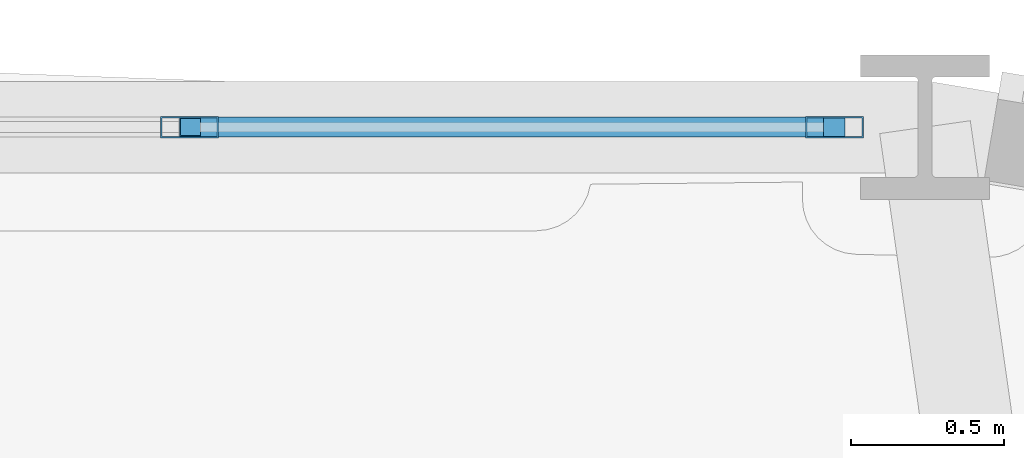
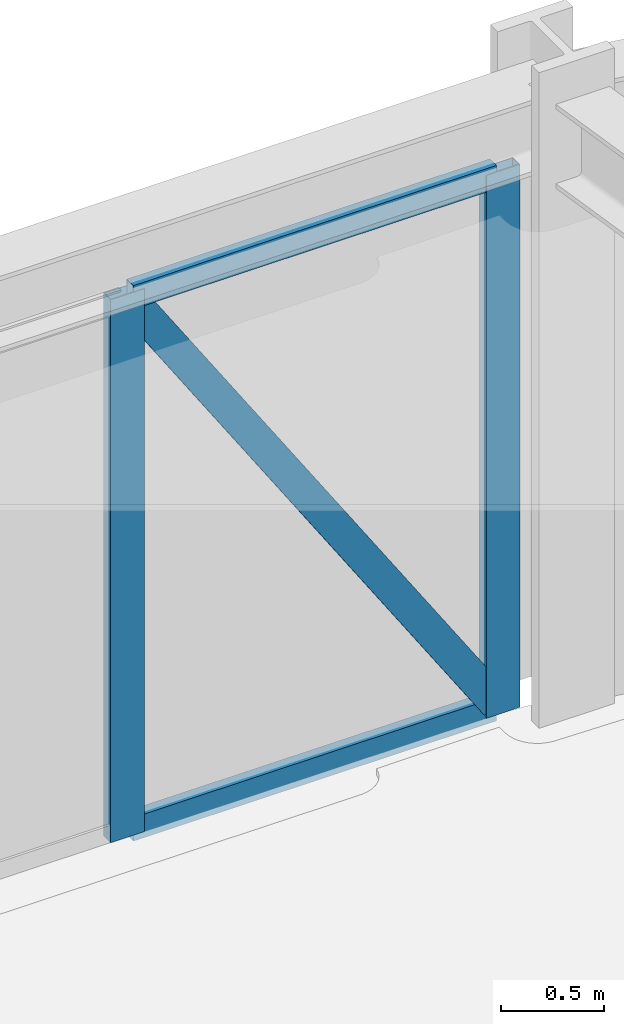
# One storey, part 14 of 22: 5 members, 1 element without a shape of its own.
"""IFC4 building model written with IfcOpenShell, lengths in metres."""

from ifc_helpers import new_model, si_unit, derived_unit, direction, frame, origin, origin_2d, place, context, subcontext, project, spatial, hollow_rectangle, extrude, source, transform, mapped, material, layer, layer_set, material_profile, profile_set, type_object, element, aggregate, save


model = new_model("IFC4")

# Units and contexts
model_context = context("Model", 3, precision=1e-05, world=origin(), true_north=direction((0.0, 1.0)))
body_context = subcontext(model_context, "Body", "Model", "MODEL_VIEW")
ifc_project = project(units=[si_unit("LENGTHUNIT", "METRE"), si_unit("AREAUNIT", "SQUARE_METRE"), si_unit("VOLUMEUNIT", "CUBIC_METRE"), si_unit("PLANEANGLEUNIT", "RADIAN"), si_unit("MASSUNIT", "GRAM", prefix="KILO"), derived_unit("THERMALTRANSMITTANCEUNIT", [(si_unit("POWERUNIT", "WATT"), 1), (si_unit("LENGTHUNIT", "METRE"), -2), (si_unit("THERMODYNAMICTEMPERATUREUNIT", "KELVIN"), -1)])], contexts=[model_context])

# Site, building, storey
site_placement = place(None, origin())
site = spatial("IfcSite", under=ifc_project, at=site_placement, CompositionType="ELEMENT")
building_placement = place(site_placement, origin())
building = spatial("IfcBuilding", under=site, at=building_placement, Name="Korsvarv Bourse and Concert Hall", CompositionType="ELEMENT")
storey_placement = place(building_placement, frame((0.0, 0.0, 47.39990234375)))
storey = spatial("IfcBuildingStorey", under=building, at=storey_placement, Name="L11", CompositionType="ELEMENT", Elevation=47.39990234375)

# Curtain wall, members
ifc_material_1 = material(Name="Anodised aluminium and triple low-E glazing", Category="glass")
ifc_layer = layer(ifc_material_1, 0.219970703125)
ifc_layer_set = layer_set([ifc_layer], Name="Anodised aluminium and triple low-E glazing")
curtain_wall_type = type_object("IfcCurtainWallType", Name="CW-SYS-1", PredefinedType="NOTDEFINED", material=ifc_layer_set)
curtain_wall_placement = place(storey_placement, origin())
curtain_wall = element("IfcCurtainWall", 1, at=curtain_wall_placement, inside=storey, type_object=curtain_wall_type, Name="L11 CW1 curtain wall CW-L11-F03", PredefinedType="NOTDEFINED")
ifc_material_2 = material(Name="Extruded aluminium EN AW-6063 T66", Category="aluminium")
ifc_material_profile_1 = material_profile(ifc_material_2, hollow_rectangle(XDim=0.070068359375, YDim=0.18994140625, WallThickness=0.0048828125, at=origin_2d()), Name="ALU-M 70x190")
ifc_profile_set_1 = profile_set([ifc_material_profile_1], Name="Extruded aluminium EN AW-6063 T66")
member_type_1 = type_object("IfcMemberType", Name="CWM-190", PredefinedType="MULLION", material=ifc_profile_set_1)
shared_shape_1 = source(origin(), body_context, "Body", "SweptSolid", [
    extrude(hollow_rectangle(XDim=0.070068359375, YDim=0.18994140625, WallThickness=0.0048828125, at=origin_2d()), origin(), (0.0, 0.0, 1.0), 3.22998046875),
])
member_1_placement = place(storey_placement, frame((43.48779296875, 56.889404296875, 0.0), z_axis=(0.0, 0.0, 1.0), x_axis=(0.0, -1.0, 0.0)))
member_1 = element("IfcMember", 2, at=member_1_placement, type_object=member_type_1, Name="CW1 mullion 1", PredefinedType="MULLION", context=body_context, shape_type="MappedRepresentation", body=[
    mapped(shared_shape_1, transform((0.0, 0.0, 0.0), scale=1.0)),
])
member_2_placement = place(storey_placement, frame((41.373291015625, 56.889404296875, 0.0), z_axis=(0.0, 0.0, 1.0), x_axis=(0.0, -1.0, 0.0)))
member_2 = element("IfcMember", 3, at=member_2_placement, type_object=member_type_1, Name="CW1 mullion 2", PredefinedType="MULLION", context=body_context, shape_type="MappedRepresentation", body=[
    mapped(shared_shape_1, transform((0.0, 0.0, 0.0), scale=1.0)),
])
ifc_material_profile_2 = material_profile(ifc_material_2, hollow_rectangle(XDim=0.06494140625, YDim=0.139892578125, WallThickness=0.00390625, at=origin_2d()), Name="ALU-T 65x140")
ifc_profile_set_2 = profile_set([ifc_material_profile_2], Name="Extruded aluminium EN AW-6063 T66")
member_type_2 = type_object("IfcMemberType", Name="CWT-140", PredefinedType="USERDEFINED", material=ifc_profile_set_2)
shared_shape_2 = source(origin(), body_context, "Body", "SweptSolid", [
    extrude(hollow_rectangle(XDim=0.06494140625, YDim=0.139892578125, WallThickness=0.00390625, at=origin_2d()), origin(), (0.0, 0.0, 1.0), 2.044189453125),
])
member_3_placement = place(storey_placement, frame((43.45263671875, 56.889404296875, 0.03271484375), z_axis=(-1.0, 0.0, 0.0), x_axis=(0.0, -1.0, 0.0)))
member_3 = element("IfcMember", 4, at=member_3_placement, type_object=member_type_2, Name="CW1 transom 1.1", ObjectType="TRANSOM", PredefinedType="USERDEFINED", context=body_context, shape_type="MappedRepresentation", body=[
    mapped(shared_shape_2, transform((0.0, 0.0, 0.0), scale=1.0)),
])
member_4_placement = place(storey_placement, frame((43.45263671875, 56.889404296875, 3.197509765625), z_axis=(-1.0, 0.0, 0.0), x_axis=(0.0, -1.0, 0.0)))
member_4 = element("IfcMember", 5, at=member_4_placement, type_object=member_type_2, Name="CW1 transom 1.2", ObjectType="TRANSOM", PredefinedType="USERDEFINED", context=body_context, shape_type="MappedRepresentation", body=[
    mapped(shared_shape_2, transform((0.0, 0.0, 0.0), scale=1.0)),
])
ifc_material_profile_3 = material_profile(ifc_material_2, hollow_rectangle(XDim=0.06494140625, YDim=0.1650390625, WallThickness=0.0048828125, at=origin_2d()), Name="ALU-M 65x165")
ifc_profile_set_3 = profile_set([ifc_material_profile_3], Name="Extruded aluminium EN AW-6063 T66")
member_type_3 = type_object("IfcMemberType", Name="CWM-165", PredefinedType="MULLION", material=ifc_profile_set_3)
shared_shape_3 = source(origin(), body_context, "Body", "SweptSolid", [
    extrude(hollow_rectangle(XDim=0.06494140625, YDim=0.1650390625, WallThickness=0.0048828125, at=origin_2d()), origin(), (0.0, 0.0, 1.0), 3.713134765625),
])
member_5_placement = place(storey_placement, frame((43.45263671875, 56.889404296875, 0.065185546875), z_axis=(-0.550520656197, 0.0, 0.834821542068), x_axis=(0.0, -1.0, 0.0)))
member_5 = element("IfcMember", 6, at=member_5_placement, type_object=member_type_3, Name="CW1 diagonal mullion 1", PredefinedType="MULLION", context=body_context, shape_type="MappedRepresentation", body=[
    mapped(shared_shape_3, transform((0.0, 0.0, 0.0), scale=1.0)),
])
aggregate(curtain_wall, [member_1, member_2, member_3, member_4, member_5])

save(model, "model.ifc")
